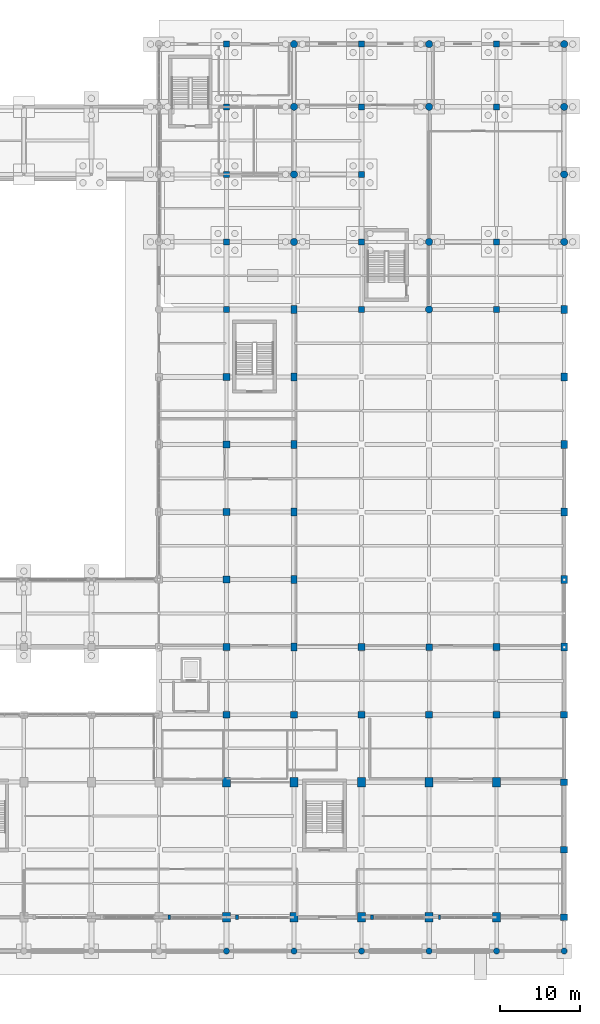
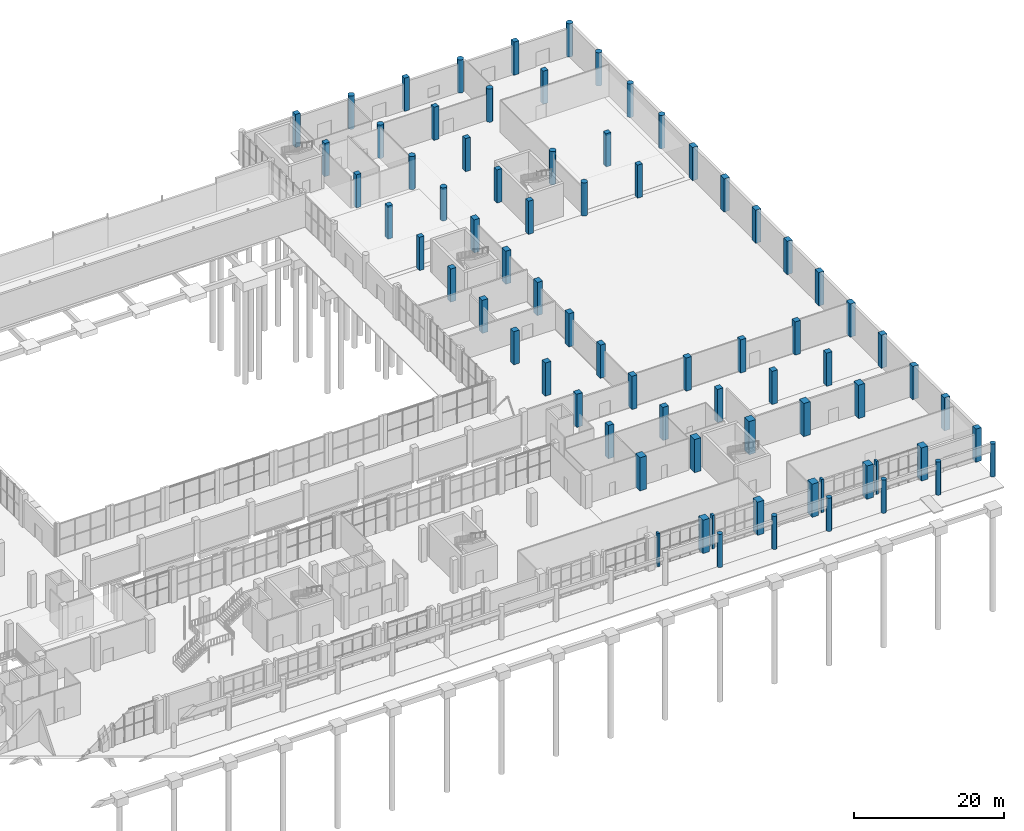
# One storey, part 19 of 82: 75 columns.
"""IFC4 building model written with IfcOpenShell, lengths in metres."""

from ifc_helpers import new_model, si_unit, derived_unit, direction, frame, origin, origin_2d, place, context, subcontext, project, spatial, rectangle, circle, extrude, material, material_profile, profile_set, type_object, element, save


model = new_model("IFC4")

# Units and contexts
model_context = context("Model", 3, precision=1e-05, world=origin(), true_north=direction((0.0, 1.0)))
body_context = subcontext(model_context, "Body", "Model", "MODEL_VIEW")
ifc_project = project(units=[si_unit("LENGTHUNIT", "METRE"), si_unit("AREAUNIT", "SQUARE_METRE"), si_unit("VOLUMEUNIT", "CUBIC_METRE"), si_unit("PLANEANGLEUNIT", "RADIAN"), si_unit("MASSUNIT", "GRAM", prefix="KILO"), derived_unit("THERMALTRANSMITTANCEUNIT", [(si_unit("POWERUNIT", "WATT"), 1), (si_unit("LENGTHUNIT", "METRE"), -2), (si_unit("THERMODYNAMICTEMPERATUREUNIT", "KELVIN"), -1)])], contexts=[model_context])

# Site, building, storey
site_placement = place(None, origin())
site = spatial("IfcSite", under=ifc_project, at=site_placement, CompositionType="ELEMENT")
building_placement = place(site_placement, origin())
building = spatial("IfcBuilding", under=site, at=building_placement, Name="Barrovel Congress Hotel", CompositionType="ELEMENT")
storey_placement = place(building_placement, origin())
storey = spatial("IfcBuildingStorey", under=building, at=storey_placement, Name="L00", CompositionType="ELEMENT", Elevation=0.0)

# Columns
ifc_material_1 = material(Name="Concrete C40", Category="concrete")
ifc_material_profile_1 = material_profile(ifc_material_1, circle(Radius=0.375, at=origin_2d()), Name="RC-D750")
ifc_profile_set_1 = profile_set([ifc_material_profile_1], Name="Concrete C40")
column_type_1 = type_object("IfcColumnType", Name="COL-RC-D750", PredefinedType="COLUMN", material=ifc_profile_set_1)
for number, where, z_axis, x_axis, name in (
    (1, (134.39990234375, 0.0, 0.0), (0.0, 0.0, 1.0), (1.0, 0.0, 0.0), "COL:L00:134.4:0.0"),
    (2, (142.800048828125, 0.0, 0.0), (0.0, 0.0, 1.0), (1.0, 0.0, 0.0), "COL:L00:142.8:0.0"),
    (3, (151.199951171875, 0.0, 0.0), (0.0, 0.0, 1.0), (1.0, 0.0, 0.0), "COL:L00:151.2:0.0"),
    (4, (159.60009765625, 0.0, 0.0), (0.0, 0.0, 1.0), (1.0, 0.0, 0.0), "COL:L00:159.6:0.0"),
    (5, (168.0, 0.0, 0.0), (0.0, 0.0, 1.0), (1.0, 0.0, 0.0), "COL:L00:168.0:0.0"),
    (6, (176.39990234375, 0.0, 0.0), (0.0, 0.0, 1.0), (1.0, 0.0, 0.0), "COL:L00:176.4:0.0"),
):
    element("IfcColumn", number, at=place(storey_placement, frame(where, z_axis=z_axis, x_axis=x_axis)), inside=storey, type_object=column_type_1, Name=name, PredefinedType="COLUMN", context=body_context, shape_type="SweptSolid", body=[
        extrude(circle(Radius=0.375, at=origin_2d()), origin(), (0.0, 0.0, 1.0), 5.39990234375),
    ])
ifc_material_profile_2 = material_profile(ifc_material_1, circle(Radius=0.449951171875, at=origin_2d()), Name="RC-D900")
ifc_profile_set_2 = profile_set([ifc_material_profile_2], Name="Concrete C40")
column_type_2 = type_object("IfcColumnType", Name="COL-RC-D900", PredefinedType="COLUMN", material=ifc_profile_set_2)
for number, where, z_axis, x_axis, name in (
    (7, (142.800048828125, 88.199951171875, 0.0), (0.0, 0.0, 1.0), (1.0, 0.0, 0.0), "COL:L00:142.8:88.2"),
    (8, (142.800048828125, 96.60009765625, 0.0), (0.0, 0.0, 1.0), (1.0, 0.0, 0.0), "COL:L00:142.8:96.6"),
    (9, (142.800048828125, 105.0, 0.0), (0.0, 0.0, 1.0), (1.0, 0.0, 0.0), "COL:L00:142.8:105.0"),
    (10, (142.800048828125, 112.800048828125, 0.0), (0.0, 0.0, 1.0), (1.0, 0.0, 0.0), "COL:L00:142.8:112.8"),
    (11, (159.60009765625, 79.800048828125, 0.0), (0.0, 0.0, 1.0), (1.0, 0.0, 0.0), "COL:L00:159.6:79.8"),
    (12, (159.60009765625, 88.199951171875, 0.0), (0.0, 0.0, 1.0), (1.0, 0.0, 0.0), "COL:L00:159.6:88.2"),
    (13, (159.60009765625, 105.0, 0.0), (0.0, 0.0, 1.0), (1.0, 0.0, 0.0), "COL:L00:159.6:105.0"),
    (14, (159.60009765625, 112.800048828125, 0.0), (0.0, 0.0, 1.0), (1.0, 0.0, 0.0), "COL:L00:159.6:112.8"),
    (15, (176.39990234375, 88.199951171875, 0.0), (0.0, 0.0, 1.0), (1.0, 0.0, 0.0), "COL:L00:176.4:88.2"),
    (16, (176.39990234375, 96.60009765625, 0.0), (0.0, 0.0, 1.0), (1.0, 0.0, 0.0), "COL:L00:176.4:96.6"),
    (17, (176.39990234375, 105.0, 0.0), (0.0, 0.0, 1.0), (1.0, 0.0, 0.0), "COL:L00:176.4:105.0"),
    (18, (176.39990234375, 112.800048828125, 0.0), (0.0, 0.0, 1.0), (1.0, 0.0, 0.0), "COL:L00:176.4:112.8"),
):
    element("IfcColumn", number, at=place(storey_placement, frame(where, z_axis=z_axis, x_axis=x_axis)), inside=storey, type_object=column_type_2, Name=name, PredefinedType="COLUMN", context=body_context, shape_type="SweptSolid", body=[
        extrude(circle(Radius=0.449951171875, at=origin_2d()), origin(), (0.0, 0.0, 1.0), 5.39990234375),
    ])
ifc_material_2 = material(Name="Concrete C50", Category="concrete")
ifc_material_profile_3 = material_profile(ifc_material_2, rectangle(XDim=1.0, YDim=1.199951171875, at=origin_2d()), Name="RC1000x1200")
ifc_profile_set_3 = profile_set([ifc_material_profile_3], Name="Concrete C50")
column_type_3 = type_object("IfcColumnType", Name="COL-RC1000x1200", PredefinedType="COLUMN", material=ifc_profile_set_3)
for number, where, z_axis, x_axis, name in (
    (19, (134.39990234375, 4.199951171875, 0.0), (0.0, 0.0, 1.0), (1.0, 0.0, 0.0), "COL:L00:134.4:4.2"),
    (20, (134.39990234375, 21.0, 0.0), (0.0, 0.0, 1.0), (1.0, 0.0, 0.0), "COL:L00:134.4:21.0"),
    (21, (142.800048828125, 4.199951171875, 0.0), (0.0, 0.0, 1.0), (1.0, 0.0, 0.0), "COL:L00:142.8:4.2"),
    (22, (142.800048828125, 21.0, 0.0), (0.0, 0.0, 1.0), (1.0, 0.0, 0.0), "COL:L00:142.8:21.0"),
    (23, (151.199951171875, 4.199951171875, 0.0), (0.0, 0.0, 1.0), (1.0, 0.0, 0.0), "COL:L00:151.2:4.2"),
    (24, (151.199951171875, 21.0, 0.0), (0.0, 0.0, 1.0), (1.0, 0.0, 0.0), "COL:L00:151.2:21.0"),
    (25, (159.60009765625, 4.199951171875, 0.0), (0.0, 0.0, 1.0), (1.0, 0.0, 0.0), "COL:L00:159.6:4.2"),
    (26, (159.60009765625, 21.0, 0.0), (0.0, 0.0, 1.0), (1.0, 0.0, 0.0), "COL:L00:159.6:21.0"),
    (27, (168.0, 4.199951171875, 0.0), (0.0, 0.0, 1.0), (1.0, 0.0, 0.0), "COL:L00:168.0:4.2"),
    (28, (168.0, 21.0, 0.0), (0.0, 0.0, 1.0), (1.0, 0.0, 0.0), "COL:L00:168.0:21.0"),
):
    element("IfcColumn", number, at=place(storey_placement, frame(where, z_axis=z_axis, x_axis=x_axis)), inside=storey, type_object=column_type_3, Name=name, PredefinedType="COLUMN", context=body_context, shape_type="SweptSolid", body=[
        extrude(rectangle(XDim=1.0, YDim=1.199951171875, at=origin_2d()), origin(), (0.0, 0.0, 1.0), 5.39990234375),
    ])
ifc_material_profile_4 = material_profile(ifc_material_1, rectangle(XDim=0.75, YDim=0.75, at=origin_2d()), Name="RC750x750")
ifc_profile_set_4 = profile_set([ifc_material_profile_4], Name="Concrete C40")
column_type_4 = type_object("IfcColumnType", Name="COL-RC750x750", PredefinedType="COLUMN", material=ifc_profile_set_4)
for number, where, z_axis, x_axis, name in (
    (29, (134.39990234375, 79.800048828125, 0.0), (0.0, 0.0, 1.0), (1.0, 0.0, 0.0), "COL:L00:134.4:79.8"),
    (30, (134.39990234375, 88.199951171875, 0.0), (0.0, 0.0, 1.0), (1.0, 0.0, 0.0), "COL:L00:134.4:88.2"),
    (31, (134.39990234375, 96.60009765625, 0.0), (0.0, 0.0, 1.0), (1.0, 0.0, 0.0), "COL:L00:134.4:96.6"),
    (32, (134.39990234375, 105.0, 0.0), (0.0, 0.0, 1.0), (1.0, 0.0, 0.0), "COL:L00:134.4:105.0"),
    (33, (134.39990234375, 112.800048828125, 0.0), (0.0, 0.0, 1.0), (1.0, 0.0, 0.0), "COL:L00:134.4:112.8"),
    (34, (151.199951171875, 79.800048828125, 0.0), (0.0, 0.0, 1.0), (1.0, 0.0, 0.0), "COL:L00:151.2:79.8"),
    (35, (151.199951171875, 88.199951171875, 0.0), (0.0, 0.0, 1.0), (1.0, 0.0, 0.0), "COL:L00:151.2:88.2"),
    (36, (151.199951171875, 96.60009765625, 0.0), (0.0, 0.0, 1.0), (1.0, 0.0, 0.0), "COL:L00:151.2:96.6"),
    (37, (151.199951171875, 105.0, 0.0), (0.0, 0.0, 1.0), (1.0, 0.0, 0.0), "COL:L00:151.2:105.0"),
    (38, (151.199951171875, 112.800048828125, 0.0), (0.0, 0.0, 1.0), (1.0, 0.0, 0.0), "COL:L00:151.2:112.8"),
    (39, (168.0, 79.800048828125, 0.0), (0.0, 0.0, 1.0), (1.0, 0.0, 0.0), "COL:L00:168.0:79.8"),
    (40, (168.0, 88.199951171875, 0.0), (0.0, 0.0, 1.0), (1.0, 0.0, 0.0), "COL:L00:168.0:88.2"),
    (41, (168.0, 105.0, 0.0), (0.0, 0.0, 1.0), (1.0, 0.0, 0.0), "COL:L00:168.0:105.0"),
    (42, (168.0, 112.800048828125, 0.0), (0.0, 0.0, 1.0), (1.0, 0.0, 0.0), "COL:L00:168.0:112.8"),
):
    element("IfcColumn", number, at=place(storey_placement, frame(where, z_axis=z_axis, x_axis=x_axis)), inside=storey, type_object=column_type_4, Name=name, PredefinedType="COLUMN", context=body_context, shape_type="SweptSolid", body=[
        extrude(rectangle(XDim=0.75, YDim=0.75, at=origin_2d()), origin(), (0.0, 0.0, 1.0), 5.39990234375),
    ])
ifc_material_profile_5 = material_profile(ifc_material_1, rectangle(XDim=0.800048828125, YDim=1.0, at=origin_2d()), Name="RC800x1000")
ifc_profile_set_5 = profile_set([ifc_material_profile_5], Name="Concrete C40")
column_type_5 = type_object("IfcColumnType", Name="COL-RC800x1000", PredefinedType="COLUMN", material=ifc_profile_set_5)
for number, where, z_axis, x_axis, name in (
    (43, (142.800048828125, 37.800048828125, 0.0), (0.0, 0.0, 1.0), (1.0, 0.0, 0.0), "COL:L00:142.8:37.8"),
    (44, (142.800048828125, 46.199951171875, 0.0), (0.0, 0.0, 1.0), (1.0, 0.0, 0.0), "COL:L00:142.8:46.2"),
    (45, (142.800048828125, 54.60009765625, 0.0), (0.0, 0.0, 1.0), (1.0, 0.0, 0.0), "COL:L00:142.8:54.6"),
    (46, (142.800048828125, 63.0, 0.0), (0.0, 0.0, 1.0), (1.0, 0.0, 0.0), "COL:L00:142.8:63.0"),
    (47, (142.800048828125, 71.39990234375, 0.0), (0.0, 0.0, 1.0), (1.0, 0.0, 0.0), "COL:L00:142.8:71.4"),
    (48, (142.800048828125, 79.800048828125, 0.0), (0.0, 0.0, 1.0), (1.0, 0.0, 0.0), "COL:L00:142.8:79.8"),
    (49, (176.39990234375, 37.800048828125, 0.0), (0.0, 0.0, 1.0), (1.0, 0.0, 0.0), "COL:L00:176.4:37.8"),
    (50, (176.39990234375, 46.199951171875, 0.0), (0.0, 0.0, 1.0), (1.0, 0.0, 0.0), "COL:L00:176.4:46.2"),
    (51, (176.39990234375, 54.60009765625, 0.0), (0.0, 0.0, 1.0), (1.0, 0.0, 0.0), "COL:L00:176.4:54.6"),
    (52, (176.39990234375, 63.0, 0.0), (0.0, 0.0, 1.0), (1.0, 0.0, 0.0), "COL:L00:176.4:63.0"),
    (53, (176.39990234375, 71.39990234375, 0.0), (0.0, 0.0, 1.0), (1.0, 0.0, 0.0), "COL:L00:176.4:71.4"),
    (54, (176.39990234375, 79.800048828125, 0.0), (0.0, 0.0, 1.0), (1.0, 0.0, 0.0), "COL:L00:176.4:79.8"),
):
    element("IfcColumn", number, at=place(storey_placement, frame(where, z_axis=z_axis, x_axis=x_axis)), inside=storey, type_object=column_type_5, Name=name, PredefinedType="COLUMN", context=body_context, shape_type="SweptSolid", body=[
        extrude(rectangle(XDim=0.800048828125, YDim=1.0, at=origin_2d()), origin(), (0.0, 0.0, 1.0), 5.39990234375),
    ])
ifc_material_profile_6 = material_profile(ifc_material_1, rectangle(XDim=0.800048828125, YDim=0.800048828125, at=origin_2d()), Name="RC800x800")
ifc_profile_set_6 = profile_set([ifc_material_profile_6], Name="Concrete C40")
column_type_6 = type_object("IfcColumnType", Name="COL-RC800x800", PredefinedType="COLUMN", material=ifc_profile_set_6)
column_placement = place(storey_placement, frame((159.60009765625, 37.800048828125, 0.0), z_axis=(0.0, 0.0, 1.0), x_axis=(1.0, 0.0, 0.0)))
element("IfcColumn", 55, at=column_placement, inside=storey, type_object=column_type_6, Name="COL:L00:159.6:37.8", PredefinedType="COLUMN", context=body_context, shape_type="SweptSolid", body=[
    extrude(rectangle(XDim=0.800048828125, YDim=0.800048828125, at=origin_2d()), origin(), (0.0, 0.0, 1.0), 5.39990234375),
])
ifc_material_profile_7 = material_profile(ifc_material_1, rectangle(XDim=0.85009765625, YDim=0.85009765625, at=origin_2d()), Name="RC850x850")
ifc_profile_set_7 = profile_set([ifc_material_profile_7], Name="Concrete C40")
column_type_7 = type_object("IfcColumnType", Name="COL-RC850x850", PredefinedType="COLUMN", material=ifc_profile_set_7)
for number, where, z_axis, x_axis, name in (
    (56, (134.39990234375, 29.39990234375, 0.0), (0.0, 0.0, 1.0), (1.0, 0.0, 0.0), "COL:L00:134.4:29.4"),
    (57, (134.39990234375, 37.800048828125, 0.0), (0.0, 0.0, 1.0), (1.0, 0.0, 0.0), "COL:L00:134.4:37.8"),
    (58, (134.39990234375, 46.199951171875, 0.0), (0.0, 0.0, 1.0), (1.0, 0.0, 0.0), "COL:L00:134.4:46.2"),
    (59, (134.39990234375, 54.60009765625, 0.0), (0.0, 0.0, 1.0), (1.0, 0.0, 0.0), "COL:L00:134.4:54.6"),
    (60, (134.39990234375, 63.0, 0.0), (0.0, 0.0, 1.0), (1.0, 0.0, 0.0), "COL:L00:134.4:63.0"),
    (61, (134.39990234375, 71.39990234375, 0.0), (0.0, 0.0, 1.0), (1.0, 0.0, 0.0), "COL:L00:134.4:71.4"),
    (62, (142.800048828125, 29.39990234375, 0.0), (0.0, 0.0, 1.0), (1.0, 0.0, 0.0), "COL:L00:142.8:29.4"),
    (63, (151.199951171875, 29.39990234375, 0.0), (0.0, 0.0, 1.0), (1.0, 0.0, 0.0), "COL:L00:151.2:29.4"),
    (64, (151.199951171875, 37.800048828125, 0.0), (0.0, 0.0, 1.0), (1.0, 0.0, 0.0), "COL:L00:151.2:37.8"),
    (65, (159.60009765625, 29.39990234375, 0.0), (0.0, 0.0, 1.0), (1.0, 0.0, 0.0), "COL:L00:159.6:29.4"),
    (66, (168.0, 29.39990234375, 0.0), (0.0, 0.0, 1.0), (1.0, 0.0, 0.0), "COL:L00:168.0:29.4"),
    (67, (168.0, 37.800048828125, 0.0), (0.0, 0.0, 1.0), (1.0, 0.0, 0.0), "COL:L00:168.0:37.8"),
    (68, (176.39990234375, 4.199951171875, 0.0), (0.0, 0.0, 1.0), (1.0, 0.0, 0.0), "COL:L00:176.4:4.2"),
    (69, (176.39990234375, 12.60009765625, 0.0), (0.0, 0.0, 1.0), (1.0, 0.0, 0.0), "COL:L00:176.4:12.6"),
    (70, (176.39990234375, 21.0, 0.0), (0.0, 0.0, 1.0), (1.0, 0.0, 0.0), "COL:L00:176.4:21.0"),
    (71, (176.39990234375, 29.39990234375, 0.0), (0.0, 0.0, 1.0), (1.0, 0.0, 0.0), "COL:L00:176.4:29.4"),
):
    element("IfcColumn", number, at=place(storey_placement, frame(where, z_axis=z_axis, x_axis=x_axis)), inside=storey, type_object=column_type_7, Name=name, PredefinedType="COLUMN", context=body_context, shape_type="SweptSolid", body=[
        extrude(rectangle(XDim=0.85009765625, YDim=0.85009765625, at=origin_2d()), origin(), (0.0, 0.0, 1.0), 5.39990234375),
    ])
ifc_material_profile_8 = material_profile(ifc_material_1, rectangle(XDim=0.300048828125, YDim=0.550048828125, at=origin_2d()), Name="RC300x550")
ifc_profile_set_8 = profile_set([ifc_material_profile_8], Name="Concrete C40")
column_type_8 = type_object("IfcColumnType", Name="PIL-RC300x550", PredefinedType="PILASTER", material=ifc_profile_set_8)
for number, where, z_axis, x_axis, name in (
    (72, (127.300048828125, 4.199951171875, 0.0), (0.0, 0.0, 1.0), (1.0, 0.0, 0.0), "PIL:L00:S:127.3"),
    (73, (160.89990234375, 4.199951171875, 0.0), (0.0, 0.0, 1.0), (1.0, 0.0, 0.0), "PIL:L00:S:160.9"),
):
    element("IfcColumn", number, at=place(storey_placement, frame(where, z_axis=z_axis, x_axis=x_axis)), inside=storey, type_object=column_type_8, Name=name, PredefinedType="PILASTER", context=body_context, shape_type="SweptSolid", body=[
        extrude(rectangle(XDim=0.300048828125, YDim=0.550048828125, at=origin_2d()), origin(), (0.0, 0.0, 1.0), 5.39990234375),
    ])
ifc_material_profile_9 = material_profile(ifc_material_1, rectangle(XDim=0.35009765625, YDim=0.60009765625, at=origin_2d()), Name="RC350x600")
ifc_profile_set_9 = profile_set([ifc_material_profile_9], Name="Concrete C40")
column_type_9 = type_object("IfcColumnType", Name="PIL-RC350x600", PredefinedType="PILASTER", material=ifc_profile_set_9)
for number, where, z_axis, x_axis, name in (
    (74, (135.699951171875, 4.199951171875, 0.0), (0.0, 0.0, 1.0), (1.0, 0.0, 0.0), "PIL:L00:S:135.7"),
    (75, (152.5, 4.199951171875, 0.0), (0.0, 0.0, 1.0), (1.0, 0.0, 0.0), "PIL:L00:S:152.5"),
):
    element("IfcColumn", number, at=place(storey_placement, frame(where, z_axis=z_axis, x_axis=x_axis)), inside=storey, type_object=column_type_9, Name=name, PredefinedType="PILASTER", context=body_context, shape_type="SweptSolid", body=[
        extrude(rectangle(XDim=0.35009765625, YDim=0.60009765625, at=origin_2d()), origin(), (0.0, 0.0, 1.0), 5.39990234375),
    ])

save(model, "model.ifc")
